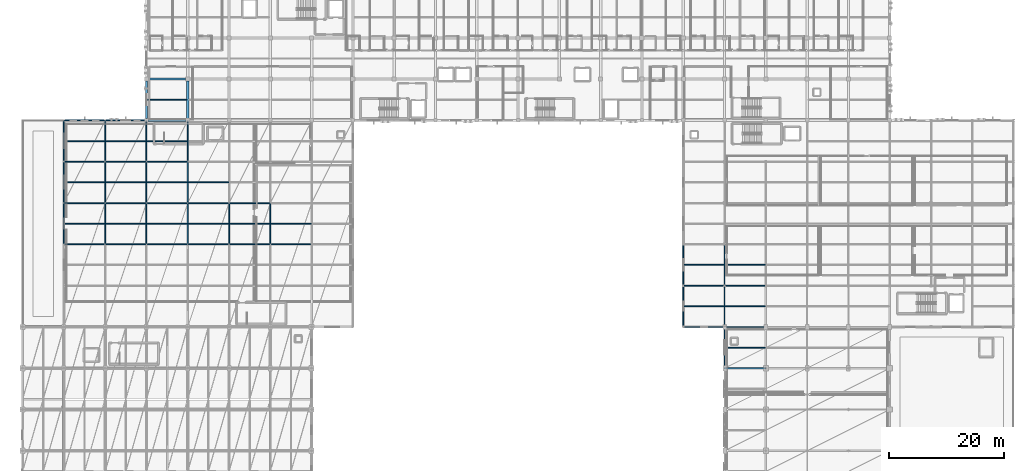
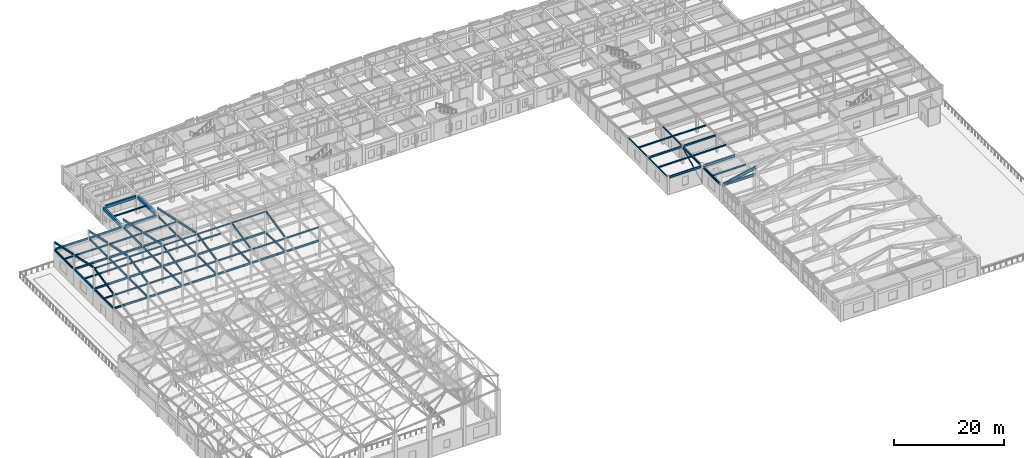
# One storey, part 32 of 113: 77 beams, 16 members.
"""IFC4 building model written with IfcOpenShell, lengths in metres."""

from ifc_helpers import new_model, si_unit, direction, frame, origin, origin_2d, place, context, subcontext, project, spatial, rectangle, hollow_rectangle, i_section, extrude, material, material_profile, profile_set, type_object, element, save


model = new_model("IFC4")

# Units and contexts
model_context = context("Model", 3, precision=1e-05, world=origin(), true_north=direction((0.0, 1.0)))
body_context = subcontext(model_context, "Body", "Model", "MODEL_VIEW")
ifc_project = project(units=[si_unit("LENGTHUNIT", "METRE"), si_unit("AREAUNIT", "SQUARE_METRE"), si_unit("VOLUMEUNIT", "CUBIC_METRE"), si_unit("PLANEANGLEUNIT", "RADIAN"), si_unit("MASSUNIT", "GRAM", prefix="KILO")], contexts=[model_context])

# Site, building, storey
site_placement = place(None, origin())
site = spatial("IfcSite", under=ifc_project, at=site_placement, CompositionType="ELEMENT")
building_placement = place(site_placement, origin())
building = spatial("IfcBuilding", under=site, at=building_placement, Name="Carrowvane Square Congress Hotel", CompositionType="ELEMENT")
storey_placement = place(building_placement, frame((0.0, 0.0, 15.0)))
storey = spatial("IfcBuildingStorey", under=building, at=storey_placement, Name="L03", CompositionType="ELEMENT", Elevation=15.0)

# Beams
ifc_material_1 = material(Name="Concrete C35/45", Category="concrete")
ifc_material_profile_1 = material_profile(ifc_material_1, rectangle(XDim=0.35009765625, YDim=0.60009765625, at=origin_2d()), Name="RC 350x600")
ifc_profile_set_1 = profile_set([ifc_material_profile_1], Name="Concrete C35/45")
beam_type_1 = type_object("IfcBeamType", Name="BM-RC-350x600", PredefinedType="BEAM", material=ifc_profile_set_1)
beam_1_placement = place(storey_placement, frame((33.5, 91.800048828125, 3.639892578125), z_axis=(1.0, 0.0, 0.0), x_axis=(0.0, 1.0, 0.0)))
element("IfcBeam", 1, at=beam_1_placement, inside=storey, type_object=beam_type_1, Name="L04 girder N/4-5", PredefinedType="BEAM", context=body_context, shape_type="SweptSolid", body=[
    extrude(rectangle(XDim=0.35009765625, YDim=0.60009765625, at=origin_2d()), origin(), (0.0, 0.0, 1.0), 6.60009765625),
])
beam_2_placement = place(storey_placement, frame((33.550048828125, 99.0, 3.639892578125), z_axis=(1.0, 0.0, 0.0), x_axis=(0.0, 1.0, 0.0)))
element("IfcBeam", 2, at=beam_2_placement, inside=storey, type_object=beam_type_1, Name="L04 girder P/4-5", PredefinedType="BEAM", context=body_context, shape_type="SweptSolid", body=[
    extrude(rectangle(XDim=0.35009765625, YDim=0.60009765625, at=origin_2d()), origin(), (0.0, 0.0, 1.0), 6.5),
])
ifc_material_2 = material(Name="Concrete C35/45", Category="concrete")
ifc_material_profile_2 = material_profile(ifc_material_2, rectangle(XDim=0.39990234375, YDim=0.64990234375, at=origin_2d()), Name="RC 400x650")
ifc_profile_set_2 = profile_set([ifc_material_profile_2], Name="Concrete C35/45")
beam_type_2 = type_object("IfcBeamType", Name="BM-RC-400x650", PredefinedType="BEAM", material=ifc_profile_set_2)
for number, where, z_axis, x_axis, name in (
    (3, (33.199951171875, 92.10009765625, 3.614990234375), (0.0, 1.0, 0.0), (-1.0, 0.0, 0.0), "L04 girder 4/N-P"),
    (4, (40.39990234375, 92.10009765625, 3.614990234375), (0.0, 1.0, 0.0), (-1.0, 0.0, 0.0), "L04 girder 5/N-P"),
):
    element("IfcBeam", number, at=place(storey_placement, frame(where, z_axis=z_axis, x_axis=x_axis)), inside=storey, type_object=beam_type_2, Name=name, PredefinedType="BEAM", context=body_context, shape_type="SweptSolid", body=[
        extrude(rectangle(XDim=0.39990234375, YDim=0.64990234375, at=origin_2d()), origin(), (0.0, 0.0, 1.0), 6.5498046875),
    ])
ifc_material_3 = material(Name="Steel S355", Category="steel")
ifc_material_profile_3 = material_profile(ifc_material_3, hollow_rectangle(XDim=0.14990234375, YDim=0.25, WallThickness=0.012451171875, at=origin_2d()), Name="RHS 250x150x12.5")
ifc_profile_set_3 = profile_set([ifc_material_profile_3], Name="Steel S355")
beam_type_3 = type_object("IfcBeamType", Name="BM-ST-RHS250", PredefinedType="SPANDREL", material=ifc_profile_set_3)
for number, where, z_axis, x_axis, name in (
    (5, (126.800048828125, 55.98095703125, 3.81494140625), (0.0, 1.0, 0.0), (-1.0, 0.0, 0.0), "L04 girder 17/H-J"),
    (6, (126.800048828125, 63.180908203125, 3.81494140625), (0.0, 1.0, 0.0), (-1.0, 0.0, 0.0), "L04 girder 17/J-K"),
    (7, (134.0, 63.180908203125, 3.81494140625), (0.0, 1.0, 0.0), (-1.0, 0.0, 0.0), "L04 girder 18/J-K"),
):
    element("IfcBeam", number, at=place(storey_placement, frame(where, z_axis=z_axis, x_axis=x_axis)), inside=storey, type_object=beam_type_3, Name=name, PredefinedType="SPANDREL", context=body_context, shape_type="SweptSolid", body=[
        extrude(hollow_rectangle(XDim=0.14990234375, YDim=0.25, WallThickness=0.012451171875, at=origin_2d()), origin(), (0.0, 0.0, 1.0), 6.838134765625),
    ])
ifc_material_4 = material(Name="Steel S355", Category="steel")
ifc_material_profile_4 = material_profile(ifc_material_4, i_section(OverallWidth=0.165771484375, OverallDepth=0.306640625, WebThickness=0.006591796875, FlangeThickness=0.01171875, FilletRadius=0.0087890625, at=origin_2d()), Name="UKB 305x165x46")
ifc_profile_set_4 = profile_set([ifc_material_profile_4], Name="Steel S355")
beam_type_4 = type_object("IfcBeamType", Name="BM-ST-UKB305", PredefinedType="JOIST", material=ifc_profile_set_4)
for number, where, z_axis, x_axis, name in (
    (8, (18.889404296875, 73.800048828125, 3.78662109375), (1.0, 0.0, 0.0), (0.0, 1.0, 0.0), "L04 secondary joist 2-3"),
    (9, (18.889404296875, 81.0, 3.78662109375), (1.0, 0.0, 0.0), (0.0, 1.0, 0.0), "L04 secondary joist 2-3"),
    (10, (18.889404296875, 88.199951171875, 3.78662109375), (1.0, 0.0, 0.0), (0.0, 1.0, 0.0), "L04 secondary joist 2-3"),
    (11, (26.08935546875, 73.800048828125, 3.78662109375), (1.0, 0.0, 0.0), (0.0, 1.0, 0.0), "L04 secondary joist 3-4"),
    (12, (26.08935546875, 81.0, 3.78662109375), (1.0, 0.0, 0.0), (0.0, 1.0, 0.0), "L04 secondary joist 3-4"),
    (13, (26.08935546875, 88.199951171875, 3.78662109375), (1.0, 0.0, 0.0), (0.0, 1.0, 0.0), "L04 secondary joist 3-4"),
    (14, (33.289306640625, 73.800048828125, 3.78662109375), (1.0, 0.0, 0.0), (0.0, 1.0, 0.0), "L04 secondary joist 4-5"),
    (15, (33.289306640625, 81.0, 3.78662109375), (1.0, 0.0, 0.0), (0.0, 1.0, 0.0), "L04 secondary joist 4-5"),
    (16, (33.289306640625, 88.199951171875, 3.78662109375), (1.0, 0.0, 0.0), (0.0, 1.0, 0.0), "L04 secondary joist 4-5"),
):
    element("IfcBeam", number, at=place(storey_placement, frame(where, z_axis=z_axis, x_axis=x_axis)), inside=storey, type_object=beam_type_4, Name=name, PredefinedType="JOIST", context=body_context, shape_type="SweptSolid", body=[
        extrude(i_section(OverallWidth=0.165771484375, OverallDepth=0.306640625, WebThickness=0.006591796875, FlangeThickness=0.01171875, FilletRadius=0.0087890625, at=origin_2d()), origin(), (0.0, 0.0, 1.0), 7.021240234375),
    ])
beam_3_placement = place(storey_placement, frame((33.39990234375, 95.39990234375, 3.78662109375), z_axis=(1.0, 0.0, 0.0), x_axis=(0.0, 1.0, 0.0)))
element("IfcBeam", 17, at=beam_3_placement, inside=storey, type_object=beam_type_4, Name="L04 secondary joist 4-5", PredefinedType="JOIST", context=body_context, shape_type="SweptSolid", body=[
    extrude(i_section(OverallWidth=0.165771484375, OverallDepth=0.306640625, WebThickness=0.006591796875, FlangeThickness=0.01171875, FilletRadius=0.0087890625, at=origin_2d()), origin(), (0.0, 0.0, 1.0), 6.800048828125),
])
for number, where, z_axis, x_axis, name in (
    (18, (40.489501953125, 73.800048828125, 3.78662109375), (1.0, 0.0, 0.0), (0.0, 1.0, 0.0), "L04 secondary joist 5-6"),
    (19, (40.489501953125, 81.0, 3.78662109375), (1.0, 0.0, 0.0), (0.0, 1.0, 0.0), "L04 secondary joist 5-6"),
):
    element("IfcBeam", number, at=place(storey_placement, frame(where, z_axis=z_axis, x_axis=x_axis)), inside=storey, type_object=beam_type_4, Name=name, PredefinedType="JOIST", context=body_context, shape_type="SweptSolid", body=[
        extrude(i_section(OverallWidth=0.165771484375, OverallDepth=0.306640625, WebThickness=0.006591796875, FlangeThickness=0.01171875, FilletRadius=0.0087890625, at=origin_2d()), origin(), (0.0, 0.0, 1.0), 7.02099609375),
    ])
for number, where, z_axis, x_axis, name in (
    (20, (47.689453125, 73.800048828125, 3.78662109375), (1.0, 0.0, 0.0), (0.0, 1.0, 0.0), "L04 secondary joist 6-7"),
    (21, (54.889404296875, 73.800048828125, 3.78662109375), (1.0, 0.0, 0.0), (0.0, 1.0, 0.0), "L04 secondary joist 7-8"),
):
    element("IfcBeam", number, at=place(storey_placement, frame(where, z_axis=z_axis, x_axis=x_axis)), inside=storey, type_object=beam_type_4, Name=name, PredefinedType="JOIST", context=body_context, shape_type="SweptSolid", body=[
        extrude(i_section(OverallWidth=0.165771484375, OverallDepth=0.306640625, WebThickness=0.006591796875, FlangeThickness=0.01171875, FilletRadius=0.0087890625, at=origin_2d()), origin(), (0.0, 0.0, 1.0), 7.021240234375),
    ])
beam_4_placement = place(storey_placement, frame((126.875, 59.39990234375, 3.78662109375), z_axis=(1.0, 0.0, 0.0), x_axis=(0.0, 1.0, 0.0)))
element("IfcBeam", 22, at=beam_4_placement, inside=storey, type_object=beam_type_4, Name="L04 secondary joist 17-18", PredefinedType="JOIST", context=body_context, shape_type="SweptSolid", body=[
    extrude(i_section(OverallWidth=0.165771484375, OverallDepth=0.306640625, WebThickness=0.006591796875, FlangeThickness=0.01171875, FilletRadius=0.0087890625, at=origin_2d()), origin(), (0.0, 0.0, 1.0), 7.029296875),
])
beam_5_placement = place(storey_placement, frame((126.875, 66.60009765625, 3.78662109375), z_axis=(1.0, 0.0, 0.0), x_axis=(0.0, 1.0, 0.0)))
element("IfcBeam", 23, at=beam_5_placement, inside=storey, type_object=beam_type_4, Name="L04 secondary joist 17-18", PredefinedType="JOIST", context=body_context, shape_type="SweptSolid", body=[
    extrude(i_section(OverallWidth=0.165771484375, OverallDepth=0.306640625, WebThickness=0.006591796875, FlangeThickness=0.01171875, FilletRadius=0.0087890625, at=origin_2d()), origin(), (0.0, 0.0, 1.0), 7.050048828125),
])
for number, where, z_axis, x_axis, name in (
    (24, (134.095703125, 52.199951171875, 3.78662109375), (1.0, 0.0, 0.0), (0.0, 1.0, 0.0), "L04 secondary joist 18-19"),
    (25, (134.095703125, 59.39990234375, 3.78662109375), (1.0, 0.0, 0.0), (0.0, 1.0, 0.0), "L04 secondary joist 18-19"),
):
    element("IfcBeam", number, at=place(storey_placement, frame(where, z_axis=z_axis, x_axis=x_axis)), inside=storey, type_object=beam_type_4, Name=name, PredefinedType="JOIST", context=body_context, shape_type="SweptSolid", body=[
        extrude(i_section(OverallWidth=0.165771484375, OverallDepth=0.306640625, WebThickness=0.006591796875, FlangeThickness=0.01171875, FilletRadius=0.0087890625, at=origin_2d()), origin(), (0.0, 0.0, 1.0), 6.999267578125),
    ])
beam_6_placement = place(storey_placement, frame((134.074951171875, 66.60009765625, 3.78662109375), z_axis=(1.0, 0.0, 0.0), x_axis=(0.0, 1.0, 0.0)))
element("IfcBeam", 26, at=beam_6_placement, inside=storey, type_object=beam_type_4, Name="L04 secondary joist 18-19", PredefinedType="JOIST", context=body_context, shape_type="SweptSolid", body=[
    extrude(i_section(OverallWidth=0.165771484375, OverallDepth=0.306640625, WebThickness=0.006591796875, FlangeThickness=0.01171875, FilletRadius=0.0087890625, at=origin_2d()), origin(), (0.0, 0.0, 1.0), 7.03564453125),
])
ifc_material_5 = material(Name="Steel S355", Category="steel")
ifc_material_profile_5 = material_profile(ifc_material_5, i_section(OverallWidth=0.1787109375, OverallDepth=0.409423828125, WebThickness=0.0087890625, FlangeThickness=0.014404296875, FilletRadius=0.01025390625, at=origin_2d()), Name="UKB 406x178x67")
ifc_profile_set_5 = profile_set([ifc_material_profile_5], Name="Steel S355")
beam_type_5 = type_object("IfcBeamType", Name="BM-ST-UKB406", PredefinedType="BEAM", material=ifc_profile_set_5)
for number, where, z_axis, x_axis, name in (
    (27, (126.9853515625, 63.0, 3.7353515625), (1.0, 0.0, 0.0), (0.0, 1.0, 0.0), "L04 girder J/17-18"),
    (28, (134.185302734375, 63.0, 3.7353515625), (1.0, 0.0, 0.0), (0.0, 1.0, 0.0), "L04 girder J/18-19"),
):
    element("IfcBeam", number, at=place(storey_placement, frame(where, z_axis=z_axis, x_axis=x_axis)), inside=storey, type_object=beam_type_5, Name=name, PredefinedType="BEAM", context=body_context, shape_type="SweptSolid", body=[
        extrude(i_section(OverallWidth=0.1787109375, OverallDepth=0.409423828125, WebThickness=0.0087890625, FlangeThickness=0.014404296875, FilletRadius=0.01025390625, at=origin_2d()), origin(), (0.0, 0.0, 1.0), 6.829345703125),
    ])
for number, where, z_axis, x_axis, name in (
    (29, (18.92822265625, 70.199951171875, 3.7353515625), (1.0, 0.0, 0.0), (0.0, 1.0, 0.0), "L04 girder K/2-3"),
    (30, (26.128173828125, 70.199951171875, 3.7353515625), (1.0, 0.0, 0.0), (0.0, 1.0, 0.0), "L04 girder K/3-4"),
    (31, (33.328125, 70.199951171875, 3.7353515625), (1.0, 0.0, 0.0), (0.0, 1.0, 0.0), "L04 girder K/4-5"),
):
    element("IfcBeam", number, at=place(storey_placement, frame(where, z_axis=z_axis, x_axis=x_axis)), inside=storey, type_object=beam_type_5, Name=name, PredefinedType="BEAM", context=body_context, shape_type="SweptSolid", body=[
        extrude(i_section(OverallWidth=0.1787109375, OverallDepth=0.409423828125, WebThickness=0.0087890625, FlangeThickness=0.014404296875, FilletRadius=0.01025390625, at=origin_2d()), origin(), (0.0, 0.0, 1.0), 6.943603515625),
    ])
beam_7_placement = place(storey_placement, frame((40.528076171875, 70.199951171875, 3.7353515625), z_axis=(1.0, 0.0, 0.0), x_axis=(0.0, 1.0, 0.0)))
element("IfcBeam", 32, at=beam_7_placement, inside=storey, type_object=beam_type_5, Name="L04 girder K/5-6", PredefinedType="BEAM", context=body_context, shape_type="SweptSolid", body=[
    extrude(i_section(OverallWidth=0.1787109375, OverallDepth=0.409423828125, WebThickness=0.0087890625, FlangeThickness=0.014404296875, FilletRadius=0.01025390625, at=origin_2d()), origin(), (0.0, 0.0, 1.0), 6.94384765625),
])
for number, where, z_axis, x_axis, name in (
    (33, (47.728271484375, 70.199951171875, 3.7353515625), (1.0, 0.0, 0.0), (0.0, 1.0, 0.0), "L04 girder K/6-7"),
    (34, (54.92822265625, 70.199951171875, 3.7353515625), (1.0, 0.0, 0.0), (0.0, 1.0, 0.0), "L04 girder K/7-8"),
    (35, (18.92822265625, 77.39990234375, 3.7353515625), (1.0, 0.0, 0.0), (0.0, 1.0, 0.0), "L04 girder L/2-3"),
    (36, (26.128173828125, 77.39990234375, 3.7353515625), (1.0, 0.0, 0.0), (0.0, 1.0, 0.0), "L04 girder L/3-4"),
    (37, (33.328125, 77.39990234375, 3.7353515625), (1.0, 0.0, 0.0), (0.0, 1.0, 0.0), "L04 girder L/4-5"),
):
    element("IfcBeam", number, at=place(storey_placement, frame(where, z_axis=z_axis, x_axis=x_axis)), inside=storey, type_object=beam_type_5, Name=name, PredefinedType="BEAM", context=body_context, shape_type="SweptSolid", body=[
        extrude(i_section(OverallWidth=0.1787109375, OverallDepth=0.409423828125, WebThickness=0.0087890625, FlangeThickness=0.014404296875, FilletRadius=0.01025390625, at=origin_2d()), origin(), (0.0, 0.0, 1.0), 6.943603515625),
    ])
beam_8_placement = place(storey_placement, frame((40.528076171875, 77.39990234375, 3.7353515625), z_axis=(1.0, 0.0, 0.0), x_axis=(0.0, 1.0, 0.0)))
element("IfcBeam", 38, at=beam_8_placement, inside=storey, type_object=beam_type_5, Name="L04 girder L/5-6", PredefinedType="BEAM", context=body_context, shape_type="SweptSolid", body=[
    extrude(i_section(OverallWidth=0.1787109375, OverallDepth=0.409423828125, WebThickness=0.0087890625, FlangeThickness=0.014404296875, FilletRadius=0.01025390625, at=origin_2d()), origin(), (0.0, 0.0, 1.0), 6.94384765625),
])
for number, where, z_axis, x_axis, name in (
    (39, (47.728271484375, 77.39990234375, 3.7353515625), (1.0, 0.0, 0.0), (0.0, 1.0, 0.0), "L04 girder L/6-7"),
    (40, (18.92822265625, 84.60009765625, 3.7353515625), (1.0, 0.0, 0.0), (0.0, 1.0, 0.0), "L04 girder M/2-3"),
    (41, (26.128173828125, 84.60009765625, 3.7353515625), (1.0, 0.0, 0.0), (0.0, 1.0, 0.0), "L04 girder M/3-4"),
    (42, (33.328125, 84.60009765625, 3.7353515625), (1.0, 0.0, 0.0), (0.0, 1.0, 0.0), "L04 girder M/4-5"),
    (43, (18.92822265625, 91.800048828125, 3.7353515625), (1.0, 0.0, 0.0), (0.0, 1.0, 0.0), "L04 girder N/2-3"),
):
    element("IfcBeam", number, at=place(storey_placement, frame(where, z_axis=z_axis, x_axis=x_axis)), inside=storey, type_object=beam_type_5, Name=name, PredefinedType="BEAM", context=body_context, shape_type="SweptSolid", body=[
        extrude(i_section(OverallWidth=0.1787109375, OverallDepth=0.409423828125, WebThickness=0.0087890625, FlangeThickness=0.014404296875, FilletRadius=0.01025390625, at=origin_2d()), origin(), (0.0, 0.0, 1.0), 6.943603515625),
    ])
beam_9_placement = place(storey_placement, frame((26.128173828125, 91.800048828125, 3.7353515625), z_axis=(1.0, 0.0, 0.0), x_axis=(0.0, 1.0, 0.0)))
element("IfcBeam", 44, at=beam_9_placement, inside=storey, type_object=beam_type_5, Name="L04 girder N/3-4", PredefinedType="BEAM", context=body_context, shape_type="SweptSolid", body=[
    extrude(i_section(OverallWidth=0.1787109375, OverallDepth=0.409423828125, WebThickness=0.0087890625, FlangeThickness=0.014404296875, FilletRadius=0.01025390625, at=origin_2d()), origin(), (0.0, 0.0, 1.0), 6.771728515625),
])
beam_10_placement = place(storey_placement, frame((18.800048828125, 70.330078125, 3.7353515625), z_axis=(0.0, 1.0, 0.0), x_axis=(-1.0, 0.0, 0.0)))
element("IfcBeam", 45, at=beam_10_placement, inside=storey, type_object=beam_type_5, Name="L04 girder 2/K-L", PredefinedType="BEAM", context=body_context, shape_type="SweptSolid", body=[
    extrude(i_section(OverallWidth=0.1787109375, OverallDepth=0.409423828125, WebThickness=0.0087890625, FlangeThickness=0.014404296875, FilletRadius=0.01025390625, at=origin_2d()), origin(), (0.0, 0.0, 1.0), 6.939697265625),
])
beam_11_placement = place(storey_placement, frame((18.800048828125, 77.530029296875, 3.7353515625), z_axis=(0.0, 1.0, 0.0), x_axis=(-1.0, 0.0, 0.0)))
element("IfcBeam", 46, at=beam_11_placement, inside=storey, type_object=beam_type_5, Name="L04 girder 2/L-M", PredefinedType="BEAM", context=body_context, shape_type="SweptSolid", body=[
    extrude(i_section(OverallWidth=0.1787109375, OverallDepth=0.409423828125, WebThickness=0.0087890625, FlangeThickness=0.014404296875, FilletRadius=0.01025390625, at=origin_2d()), origin(), (0.0, 0.0, 1.0), 6.93994140625),
])
for number, where, z_axis, x_axis, name in (
    (47, (18.800048828125, 84.730224609375, 3.7353515625), (0.0, 1.0, 0.0), (-1.0, 0.0, 0.0), "L04 girder 2/M-N"),
    (48, (26.0, 70.330078125, 3.7353515625), (0.0, 1.0, 0.0), (-1.0, 0.0, 0.0), "L04 girder 3/K-L"),
):
    element("IfcBeam", number, at=place(storey_placement, frame(where, z_axis=z_axis, x_axis=x_axis)), inside=storey, type_object=beam_type_5, Name=name, PredefinedType="BEAM", context=body_context, shape_type="SweptSolid", body=[
        extrude(i_section(OverallWidth=0.1787109375, OverallDepth=0.409423828125, WebThickness=0.0087890625, FlangeThickness=0.014404296875, FilletRadius=0.01025390625, at=origin_2d()), origin(), (0.0, 0.0, 1.0), 6.939697265625),
    ])
beam_12_placement = place(storey_placement, frame((26.0, 77.530029296875, 3.7353515625), z_axis=(0.0, 1.0, 0.0), x_axis=(-1.0, 0.0, 0.0)))
element("IfcBeam", 49, at=beam_12_placement, inside=storey, type_object=beam_type_5, Name="L04 girder 3/L-M", PredefinedType="BEAM", context=body_context, shape_type="SweptSolid", body=[
    extrude(i_section(OverallWidth=0.1787109375, OverallDepth=0.409423828125, WebThickness=0.0087890625, FlangeThickness=0.014404296875, FilletRadius=0.01025390625, at=origin_2d()), origin(), (0.0, 0.0, 1.0), 6.93994140625),
])
for number, where, z_axis, x_axis, name in (
    (50, (26.0, 84.730224609375, 3.7353515625), (0.0, 1.0, 0.0), (-1.0, 0.0, 0.0), "L04 girder 3/M-N"),
    (51, (33.199951171875, 70.330078125, 3.7353515625), (0.0, 1.0, 0.0), (-1.0, 0.0, 0.0), "L04 girder 4/K-L"),
):
    element("IfcBeam", number, at=place(storey_placement, frame(where, z_axis=z_axis, x_axis=x_axis)), inside=storey, type_object=beam_type_5, Name=name, PredefinedType="BEAM", context=body_context, shape_type="SweptSolid", body=[
        extrude(i_section(OverallWidth=0.1787109375, OverallDepth=0.409423828125, WebThickness=0.0087890625, FlangeThickness=0.014404296875, FilletRadius=0.01025390625, at=origin_2d()), origin(), (0.0, 0.0, 1.0), 6.939697265625),
    ])
beam_13_placement = place(storey_placement, frame((33.199951171875, 77.530029296875, 3.7353515625), z_axis=(0.0, 1.0, 0.0), x_axis=(-1.0, 0.0, 0.0)))
element("IfcBeam", 52, at=beam_13_placement, inside=storey, type_object=beam_type_5, Name="L04 girder 4/L-M", PredefinedType="BEAM", context=body_context, shape_type="SweptSolid", body=[
    extrude(i_section(OverallWidth=0.1787109375, OverallDepth=0.409423828125, WebThickness=0.0087890625, FlangeThickness=0.014404296875, FilletRadius=0.01025390625, at=origin_2d()), origin(), (0.0, 0.0, 1.0), 6.93994140625),
])
beam_14_placement = place(storey_placement, frame((33.199951171875, 84.730224609375, 3.7353515625), z_axis=(0.0, 1.0, 0.0), x_axis=(-1.0, 0.0, 0.0)))
element("IfcBeam", 53, at=beam_14_placement, inside=storey, type_object=beam_type_5, Name="L04 girder 4/M-N", PredefinedType="BEAM", context=body_context, shape_type="SweptSolid", body=[
    extrude(i_section(OverallWidth=0.1787109375, OverallDepth=0.409423828125, WebThickness=0.0087890625, FlangeThickness=0.014404296875, FilletRadius=0.01025390625, at=origin_2d()), origin(), (0.0, 0.0, 1.0), 6.769775390625),
])
beam_15_placement = place(storey_placement, frame((40.39990234375, 70.330078125, 3.7353515625), z_axis=(0.0, 1.0, 0.0), x_axis=(-1.0, 0.0, 0.0)))
element("IfcBeam", 54, at=beam_15_placement, inside=storey, type_object=beam_type_5, Name="L04 girder 5/K-L", PredefinedType="BEAM", context=body_context, shape_type="SweptSolid", body=[
    extrude(i_section(OverallWidth=0.1787109375, OverallDepth=0.409423828125, WebThickness=0.0087890625, FlangeThickness=0.014404296875, FilletRadius=0.01025390625, at=origin_2d()), origin(), (0.0, 0.0, 1.0), 6.939697265625),
])
beam_16_placement = place(storey_placement, frame((40.39990234375, 77.530029296875, 3.7353515625), z_axis=(0.0, 1.0, 0.0), x_axis=(-1.0, 0.0, 0.0)))
element("IfcBeam", 55, at=beam_16_placement, inside=storey, type_object=beam_type_5, Name="L04 girder 5/L-M", PredefinedType="BEAM", context=body_context, shape_type="SweptSolid", body=[
    extrude(i_section(OverallWidth=0.1787109375, OverallDepth=0.409423828125, WebThickness=0.0087890625, FlangeThickness=0.014404296875, FilletRadius=0.01025390625, at=origin_2d()), origin(), (0.0, 0.0, 1.0), 6.93994140625),
])
beam_17_placement = place(storey_placement, frame((40.39990234375, 84.730224609375, 3.7353515625), z_axis=(0.0, 1.0, 0.0), x_axis=(-1.0, 0.0, 0.0)))
element("IfcBeam", 56, at=beam_17_placement, inside=storey, type_object=beam_type_5, Name="L04 girder 5/M-N", PredefinedType="BEAM", context=body_context, shape_type="SweptSolid", body=[
    extrude(i_section(OverallWidth=0.1787109375, OverallDepth=0.409423828125, WebThickness=0.0087890625, FlangeThickness=0.014404296875, FilletRadius=0.01025390625, at=origin_2d()), origin(), (0.0, 0.0, 1.0), 6.769775390625),
])
for number, where, z_axis, x_axis, name in (
    (57, (47.60009765625, 70.330078125, 3.7353515625), (0.0, 1.0, 0.0), (-1.0, 0.0, 0.0), "L04 girder 6/K-L"),
    (58, (54.800048828125, 70.330078125, 3.7353515625), (0.0, 1.0, 0.0), (-1.0, 0.0, 0.0), "L04 girder 7/K-L"),
):
    element("IfcBeam", number, at=place(storey_placement, frame(where, z_axis=z_axis, x_axis=x_axis)), inside=storey, type_object=beam_type_5, Name=name, PredefinedType="BEAM", context=body_context, shape_type="SweptSolid", body=[
        extrude(i_section(OverallWidth=0.1787109375, OverallDepth=0.409423828125, WebThickness=0.0087890625, FlangeThickness=0.014404296875, FilletRadius=0.01025390625, at=origin_2d()), origin(), (0.0, 0.0, 1.0), 6.939697265625),
    ])
for number, where, z_axis, x_axis, name in (
    (59, (18.800048828125, 70.320068359375, 6.90087890625), (0.0, 0.976671490173, 0.214738911899), (-1.0, 0.0, 0.0), "Spa lantern rafter 1.3"),
    (60, (18.800048828125, 77.52001953125, 8.43115234375), (0.0, 0.976671490173, -0.214738911899), (-1.0, 0.0, 0.0), "Spa lantern rafter 1.4"),
    (61, (18.800048828125, 84.719970703125, 6.90087890625), (0.0, 0.976664304443, -0.214771591292), (-1.0, 0.0, 0.0), "Spa lantern rafter 1.5"),
    (62, (26.0, 70.320068359375, 6.90087890625), (0.0, 0.976671490173, 0.214738911899), (-1.0, 0.0, 0.0), "Spa lantern rafter 2.3"),
    (63, (26.0, 77.52001953125, 8.43115234375), (0.0, 0.976671490173, -0.214738911899), (-1.0, 0.0, 0.0), "Spa lantern rafter 2.4"),
    (64, (26.0, 84.719970703125, 6.90087890625), (0.0, 0.976664304443, -0.214771591292), (-1.0, 0.0, 0.0), "Spa lantern rafter 2.5"),
    (65, (33.199951171875, 70.320068359375, 6.90087890625), (0.0, 0.976671490173, 0.214738911899), (-1.0, 0.0, 0.0), "Spa lantern rafter 3.3"),
    (66, (33.199951171875, 77.52001953125, 8.43115234375), (0.0, 0.976671490173, -0.214738911899), (-1.0, 0.0, 0.0), "Spa lantern rafter 3.4"),
    (67, (33.199951171875, 84.719970703125, 6.90087890625), (0.0, 0.976664304443, -0.214771591292), (-1.0, 0.0, 0.0), "Spa lantern rafter 3.5"),
    (68, (40.39990234375, 70.320068359375, 6.90087890625), (0.0, 0.976671490173, 0.214738911899), (-1.0, 0.0, 0.0), "Spa lantern rafter 4.3"),
    (69, (40.39990234375, 77.52001953125, 8.43115234375), (0.0, 0.976671490173, -0.214738911899), (-1.0, 0.0, 0.0), "Spa lantern rafter 4.4"),
    (70, (40.39990234375, 84.719970703125, 6.90087890625), (0.0, 0.976664304443, -0.214771591292), (-1.0, 0.0, 0.0), "Spa lantern rafter 4.5"),
    (71, (47.60009765625, 70.320068359375, 6.90087890625), (0.0, 0.976671490173, 0.214738911899), (-1.0, 0.0, 0.0), "Spa lantern rafter 5.3"),
    (72, (54.800048828125, 70.320068359375, 6.90087890625), (0.0, 0.976671490173, 0.214738911899), (-1.0, 0.0, 0.0), "Spa lantern rafter 6.3"),
):
    element("IfcBeam", number, at=place(storey_placement, frame(where, z_axis=z_axis, x_axis=x_axis)), inside=storey, type_object=beam_type_5, Name=name, PredefinedType="BEAM", context=body_context, shape_type="SweptSolid", body=[
        extrude(i_section(OverallWidth=0.1787109375, OverallDepth=0.409423828125, WebThickness=0.0087890625, FlangeThickness=0.014404296875, FilletRadius=0.01025390625, at=origin_2d()), origin(), (0.0, 0.0, 1.0), 7.126220703125),
    ])
ifc_material_6 = material(Name="Steel S355", Category="steel")
ifc_material_profile_6 = material_profile(ifc_material_6, i_section(OverallWidth=0.19140625, OverallDepth=0.4599609375, WebThickness=0.010009765625, FlangeThickness=0.01611328125, FilletRadius=0.01025390625, at=origin_2d()), Name="UKB 457x191x82")
ifc_profile_set_6 = profile_set([ifc_material_profile_6], Name="Steel S355")
beam_type_6 = type_object("IfcBeamType", Name="BM-ST-UKB457", PredefinedType="SPANDREL", material=ifc_profile_set_6)
beam_18_placement = place(storey_placement, frame((126.9853515625, 55.800048828125, 3.7099609375), z_axis=(1.0, 0.0, 0.0), x_axis=(0.0, 1.0, 0.0)))
element("IfcBeam", 73, at=beam_18_placement, inside=storey, type_object=beam_type_6, Name="L04 girder H/17-18", PredefinedType="SPANDREL", context=body_context, shape_type="SweptSolid", body=[
    extrude(i_section(OverallWidth=0.19140625, OverallDepth=0.4599609375, WebThickness=0.010009765625, FlangeThickness=0.01611328125, FilletRadius=0.01025390625, at=origin_2d()), origin(), (0.0, 0.0, 1.0), 6.714599609375),
])
beam_19_placement = place(storey_placement, frame((134.0, 49.050048828125, 3.7099609375), z_axis=(0.0, 1.0, 0.0), x_axis=(-1.0, 0.0, 0.0)))
element("IfcBeam", 74, at=beam_19_placement, inside=storey, type_object=beam_type_6, Name="L04 girder 18/G-H", PredefinedType="SPANDREL", context=body_context, shape_type="SweptSolid", body=[
    extrude(i_section(OverallWidth=0.19140625, OverallDepth=0.4599609375, WebThickness=0.010009765625, FlangeThickness=0.01611328125, FilletRadius=0.01025390625, at=origin_2d()), origin(), (0.0, 0.0, 1.0), 6.300048828125),
])
beam_20_placement = place(storey_placement, frame((134.0, 56.25, 3.7099609375), z_axis=(0.0, 1.0, 0.0), x_axis=(-1.0, 0.0, 0.0)))
element("IfcBeam", 75, at=beam_20_placement, inside=storey, type_object=beam_type_6, Name="L04 girder 18/H-J", PredefinedType="SPANDREL", context=body_context, shape_type="SweptSolid", body=[
    extrude(i_section(OverallWidth=0.19140625, OverallDepth=0.4599609375, WebThickness=0.010009765625, FlangeThickness=0.01611328125, FilletRadius=0.01025390625, at=origin_2d()), origin(), (0.0, 0.0, 1.0), 6.569091796875),
])
ifc_material_7 = material(Name="Steel S355", Category="steel")
ifc_material_profile_7 = material_profile(ifc_material_7, i_section(OverallWidth=0.2099609375, OverallDepth=0.53662109375, WebThickness=0.0107421875, FlangeThickness=0.017333984375, FilletRadius=0.0126953125, at=origin_2d()), Name="UKB 533x210x101")
ifc_profile_set_7 = profile_set([ifc_material_profile_7], Name="Steel S355")
beam_type_7 = type_object("IfcBeamType", Name="BM-ST-UKB533", PredefinedType="USERDEFINED", material=ifc_profile_set_7)
beam_21_placement = place(storey_placement, frame((134.300048828125, 55.800048828125, 3.671630859375), z_axis=(1.0, 0.0, 0.0), x_axis=(0.0, 1.0, 0.0)))
element("IfcBeam", 76, at=beam_21_placement, inside=storey, type_object=beam_type_7, Name="L04 girder H/18-19", ObjectType="GIRDER", PredefinedType="USERDEFINED", context=body_context, shape_type="SweptSolid", body=[
    extrude(i_section(OverallWidth=0.2099609375, OverallDepth=0.53662109375, WebThickness=0.0107421875, FlangeThickness=0.017333984375, FilletRadius=0.0126953125, at=origin_2d()), origin(), (0.0, 0.0, 1.0), 6.599853515625),
])
beam_22_placement = place(storey_placement, frame((134.0, 48.60009765625, 3.85009765625), z_axis=(1.0, 0.0, 0.0), x_axis=(0.0, 1.0, 0.0)))
element("IfcBeam", 77, at=beam_22_placement, inside=storey, type_object=beam_type_7, Name="V2 pavilion truss west tie girder 6", ObjectType="GIRDER", PredefinedType="USERDEFINED", context=body_context, shape_type="SweptSolid", body=[
    extrude(i_section(OverallWidth=0.2099609375, OverallDepth=0.53662109375, WebThickness=0.0107421875, FlangeThickness=0.017333984375, FilletRadius=0.0126953125, at=origin_2d()), origin(), (0.0, 0.0, 1.0), 7.199951171875),
])

# Members
ifc_material_8 = material(Name="Steel S355", Category="steel")
ifc_material_profile_8 = material_profile(ifc_material_8, hollow_rectangle(XDim=0.14990234375, YDim=0.14990234375, WallThickness=0.010009765625, at=origin_2d()), Name="SHS 150x150x10")
ifc_profile_set_8 = profile_set([ifc_material_profile_8], Name="Steel S355")
member_type_1 = type_object("IfcMemberType", Name="MEM-BR-SHS150", PredefinedType="BRACE", material=ifc_profile_set_8)
member_1_placement = place(storey_placement, frame((134.0, 55.919921875, 0.14990234375), z_axis=(0.0, 0.901558092587, 0.43265807018), x_axis=(-1.0, 0.0, 0.0)))
element("IfcMember", 78, at=member_1_placement, inside=storey, type_object=member_type_1, Name="L03 vertical lateral brace 10", PredefinedType="BRACE", context=body_context, shape_type="SweptSolid", body=[
    extrude(hollow_rectangle(XDim=0.14990234375, YDim=0.14990234375, WallThickness=0.010009765625, at=origin_2d()), origin(), (0.0, 0.0, 1.0), 7.719970703125),
])
ifc_material_9 = material(Name="Steel S355", Category="steel")
ifc_material_profile_9 = material_profile(ifc_material_9, i_section(OverallWidth=0.146484375, OverallDepth=0.256103515625, WebThickness=0.00634765625, FlangeThickness=0.010986328125, FilletRadius=0.007568359375, at=origin_2d()), Name="UKB 254x146x37")
ifc_profile_set_9 = profile_set([ifc_material_profile_9], Name="Steel S355")
member_type_2 = type_object("IfcMemberType", Name="MEM-PR-UKB254", PredefinedType="PURLIN", material=ifc_profile_set_9)
for number, where, z_axis, x_axis, name in (
    (79, (18.919921875, 70.199951171875, 6.720703125), (1.0, 0.0, 0.0), (0.0, 1.0, 0.0), "Spa roof purlin 2.1"),
    (80, (26.1201171875, 70.199951171875, 6.720703125), (1.0, 0.0, 0.0), (0.0, 1.0, 0.0), "Spa roof purlin 2.2"),
    (81, (33.320068359375, 70.199951171875, 6.720703125), (1.0, 0.0, 0.0), (0.0, 1.0, 0.0), "Spa roof purlin 2.3"),
    (82, (40.52001953125, 70.199951171875, 6.720703125), (1.0, 0.0, 0.0), (0.0, 1.0, 0.0), "Spa roof purlin 2.4"),
    (83, (47.719970703125, 70.199951171875, 6.720703125), (1.0, 0.0, 0.0), (0.0, 1.0, 0.0), "Spa roof purlin 2.5"),
    (84, (54.919921875, 70.199951171875, 6.720703125), (1.0, 0.0, 0.0), (0.0, 1.0, 0.0), "Spa roof purlin 2.6"),
    (85, (18.919921875, 77.39990234375, 8.251220703125), (1.0, 0.0, 0.0), (0.0, 1.0, 0.0), "Spa roof purlin 3.1"),
    (86, (26.1201171875, 77.39990234375, 8.251220703125), (1.0, 0.0, 0.0), (0.0, 1.0, 0.0), "Spa roof purlin 3.2"),
    (87, (33.320068359375, 77.39990234375, 8.251220703125), (1.0, 0.0, 0.0), (0.0, 1.0, 0.0), "Spa roof purlin 3.3"),
    (88, (40.52001953125, 77.39990234375, 8.251220703125), (1.0, 0.0, 0.0), (0.0, 1.0, 0.0), "Spa roof purlin 3.4"),
    (89, (47.719970703125, 77.39990234375, 8.251220703125), (1.0, 0.0, 0.0), (0.0, 1.0, 0.0), "Spa roof purlin 3.5"),
    (90, (18.919921875, 84.60009765625, 6.720703125), (1.0, 0.0, 0.0), (0.0, 1.0, 0.0), "Spa roof purlin 4.1"),
    (91, (26.1201171875, 84.60009765625, 6.720703125), (1.0, 0.0, 0.0), (0.0, 1.0, 0.0), "Spa roof purlin 4.2"),
    (92, (33.320068359375, 84.60009765625, 6.720703125), (1.0, 0.0, 0.0), (0.0, 1.0, 0.0), "Spa roof purlin 4.3"),
):
    element("IfcMember", number, at=place(storey_placement, frame(where, z_axis=z_axis, x_axis=x_axis)), inside=storey, type_object=member_type_2, Name=name, PredefinedType="PURLIN", context=body_context, shape_type="SweptSolid", body=[
        extrude(i_section(OverallWidth=0.146484375, OverallDepth=0.256103515625, WebThickness=0.00634765625, FlangeThickness=0.010986328125, FilletRadius=0.007568359375, at=origin_2d()), origin(), (0.0, 0.0, 1.0), 6.9599609375),
    ])
ifc_material_10 = material(Name="Steel S355", Category="steel")
ifc_material_profile_10 = material_profile(ifc_material_10, i_section(OverallWidth=0.230224609375, OverallDepth=0.6171875, WebThickness=0.01318359375, FlangeThickness=0.022216796875, FilletRadius=0.0126953125, at=origin_2d()), Name="UKB 610x229x140")
ifc_profile_set_10 = profile_set([ifc_material_profile_10], Name="Steel S355")
member_type_3 = type_object("IfcMemberType", Name="MEM-TC-UKB610", PredefinedType="CHORD", material=ifc_profile_set_10)
member_2_placement = place(storey_placement, frame((134.0, 48.60009765625, 3.840087890625), z_axis=(0.978151010745, 0.0, 0.207895647328), x_axis=(0.0, 1.0, 0.0)))
element("IfcMember", 93, at=member_2_placement, inside=storey, type_object=member_type_3, Name="V2 pavilion truss top chord 6.1", PredefinedType="CHORD", context=body_context, shape_type="SweptSolid", body=[
    extrude(i_section(OverallWidth=0.230224609375, OverallDepth=0.6171875, WebThickness=0.01318359375, FlangeThickness=0.022216796875, FilletRadius=0.0126953125, at=origin_2d()), origin(), (0.0, 0.0, 1.0), 7.36083984375),
])

save(model, "model.ifc")
